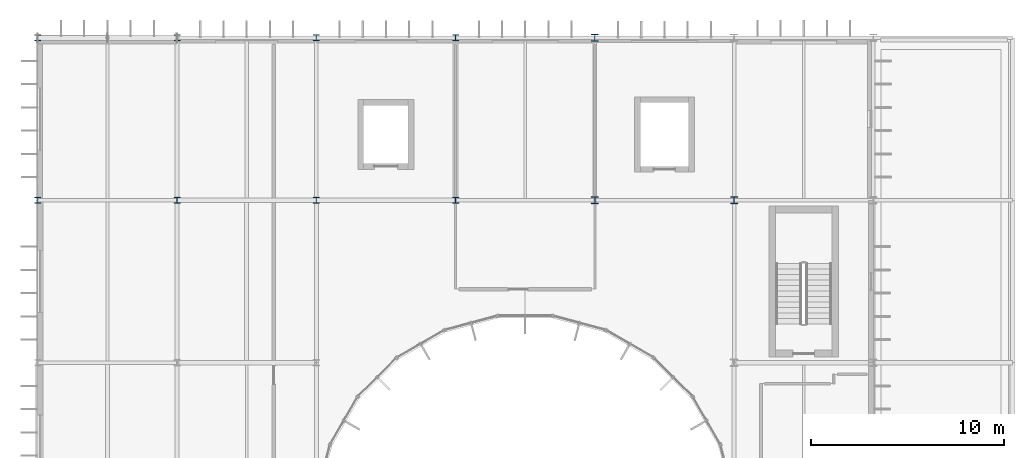
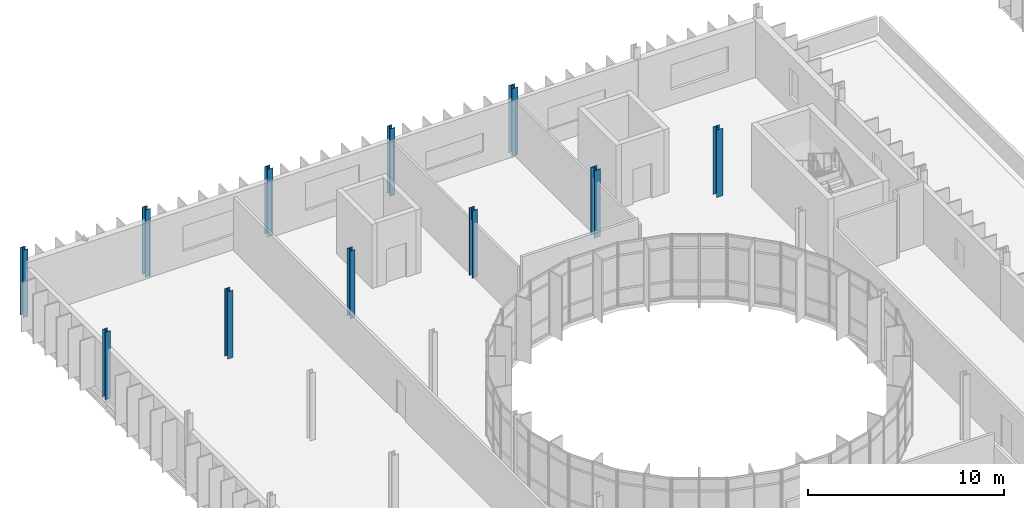
# One storey, part 8 of 99: 11 columns.
"""IFC4 building model written with IfcOpenShell, lengths in metres."""

from ifc_helpers import new_model, si_unit, direction, frame, origin, origin_2d, place, context, subcontext, project, spatial, i_section, extrude, material, material_profile, profile_set, type_object, element, save


model = new_model("IFC4")

# Units and contexts
model_context = context("Model", 3, precision=1e-05, world=origin(), true_north=direction((0.0, 1.0)))
body_context = subcontext(model_context, "Body", "Model", "MODEL_VIEW")
ifc_project = project(units=[si_unit("LENGTHUNIT", "METRE"), si_unit("AREAUNIT", "SQUARE_METRE"), si_unit("VOLUMEUNIT", "CUBIC_METRE"), si_unit("PLANEANGLEUNIT", "RADIAN"), si_unit("MASSUNIT", "GRAM", prefix="KILO")], contexts=[model_context])

# Site, building, storey
site_placement = place(None, origin())
site = spatial("IfcSite", under=ifc_project, at=site_placement, CompositionType="ELEMENT")
building_placement = place(site_placement, origin())
building = spatial("IfcBuilding", under=site, at=building_placement, Name="Qelthora Terrace Specialist Clinic", CompositionType="ELEMENT")
storey_placement = place(building_placement, frame((0.0, 0.0, 9.0)))
storey = spatial("IfcBuildingStorey", under=building, at=storey_placement, Name="L02", CompositionType="ELEMENT", Elevation=9.0)

# Columns
ifc_material = material(Name="Steel S355", Category="steel")
ifc_material_profile_1 = material_profile(ifc_material, i_section(OverallWidth=0.305908203125, OverallDepth=0.31103515625, WebThickness=0.010986328125, FlangeThickness=0.01708984375, FilletRadius=0.014892578125, at=origin_2d()), Name="W310X107")
ifc_profile_set_1 = profile_set([ifc_material_profile_1], Name="Steel S355")
column_type_1 = type_object("IfcColumnType", Name="COL-W310X107", PredefinedType="COLUMN", material=ifc_profile_set_1)
column_1_placement = place(storey_placement, frame((0.0, 100.800048828125, 0.0), z_axis=(0.0, 0.0, 1.0), x_axis=(1.0, 0.0, 0.0)))
element("IfcColumn", 1, at=column_1_placement, inside=storey, type_object=column_type_1, Name="Column L02-013", PredefinedType="COLUMN", context=body_context, shape_type="SweptSolid", body=[
    extrude(i_section(OverallWidth=0.305908203125, OverallDepth=0.31103515625, WebThickness=0.010986328125, FlangeThickness=0.01708984375, FilletRadius=0.014892578125, at=origin_2d()), origin(), (0.0, 0.0, 1.0), 4.199951171875),
])
ifc_material_profile_2 = material_profile(ifc_material, i_section(OverallWidth=0.30810546875, OverallDepth=0.318115234375, WebThickness=0.01318359375, FlangeThickness=0.0205078125, FilletRadius=0.01611328125, at=origin_2d()), Name="W310X129")
ifc_profile_set_2 = profile_set([ifc_material_profile_2], Name="Steel S355")
column_type_2 = type_object("IfcColumnType", Name="COL-W310X129", PredefinedType="COLUMN", material=ifc_profile_set_2)
for number, where, z_axis, x_axis, name in (
    (2, (7.199951171875, 100.800048828125, 0.0), (0.0, 0.0, 1.0), (1.0, 0.0, 0.0), "Column L02-027"),
    (3, (14.39990234375, 100.800048828125, 0.0), (0.0, 0.0, 1.0), (1.0, 0.0, 0.0), "Column L02-041"),
    (4, (21.60009765625, 109.199951171875, 0.0), (0.0, 0.0, 1.0), (1.0, 0.0, 0.0), "Column L02-053"),
):
    element("IfcColumn", number, at=place(storey_placement, frame(where, z_axis=z_axis, x_axis=x_axis)), inside=storey, type_object=column_type_2, Name=name, PredefinedType="COLUMN", context=body_context, shape_type="SweptSolid", body=[
        extrude(i_section(OverallWidth=0.30810546875, OverallDepth=0.318115234375, WebThickness=0.01318359375, FlangeThickness=0.0205078125, FilletRadius=0.01611328125, at=origin_2d()), origin(), (0.0, 0.0, 1.0), 4.199951171875),
    ])
ifc_material_profile_3 = material_profile(ifc_material, i_section(OverallWidth=0.30908203125, OverallDepth=0.322998046875, WebThickness=0.013916015625, FlangeThickness=0.02294921875, FilletRadius=0.01611328125, at=origin_2d()), Name="W310X143")
ifc_profile_set_3 = profile_set([ifc_material_profile_3], Name="Steel S355")
column_type_3 = type_object("IfcColumnType", Name="COL-W310X143", PredefinedType="COLUMN", material=ifc_profile_set_3)
for number, where, z_axis, x_axis, name in (
    (5, (7.199951171875, 109.199951171875, 0.0), (0.0, 0.0, 1.0), (1.0, 0.0, 0.0), "Column L02-028"),
    (6, (14.39990234375, 109.199951171875, 0.0), (0.0, 0.0, 1.0), (1.0, 0.0, 0.0), "Column L02-042"),
    (7, (21.60009765625, 100.800048828125, 0.0), (0.0, 0.0, 1.0), (1.0, 0.0, 0.0), "Column L02-052"),
):
    element("IfcColumn", number, at=place(storey_placement, frame(where, z_axis=z_axis, x_axis=x_axis)), inside=storey, type_object=column_type_3, Name=name, PredefinedType="COLUMN", context=body_context, shape_type="SweptSolid", body=[
        extrude(i_section(OverallWidth=0.30908203125, OverallDepth=0.322998046875, WebThickness=0.013916015625, FlangeThickness=0.02294921875, FilletRadius=0.01611328125, at=origin_2d()), origin(), (0.0, 0.0, 1.0), 4.199951171875),
    ])
ifc_material_profile_4 = material_profile(ifc_material, i_section(OverallWidth=0.304931640625, OverallDepth=0.30810546875, WebThickness=0.010009765625, FlangeThickness=0.015380859375, FilletRadius=0.014892578125, at=origin_2d()), Name="W310X97")
ifc_profile_set_4 = profile_set([ifc_material_profile_4], Name="Steel S355")
column_type_4 = type_object("IfcColumnType", Name="COL-W310X97", PredefinedType="COLUMN", material=ifc_profile_set_4)
column_2_placement = place(storey_placement, frame((0.0, 109.199951171875, 0.0), z_axis=(0.0, 0.0, 1.0), x_axis=(1.0, 0.0, 0.0)))
element("IfcColumn", 8, at=column_2_placement, inside=storey, type_object=column_type_4, Name="Column L02-014", PredefinedType="COLUMN", context=body_context, shape_type="SweptSolid", body=[
    extrude(i_section(OverallWidth=0.304931640625, OverallDepth=0.30810546875, WebThickness=0.010009765625, FlangeThickness=0.015380859375, FilletRadius=0.014892578125, at=origin_2d()), origin(), (0.0, 0.0, 1.0), 4.199951171875),
])
ifc_material_profile_5 = material_profile(ifc_material, i_section(OverallWidth=0.37109375, OverallDepth=0.364013671875, WebThickness=0.01318359375, FlangeThickness=0.021728515625, FilletRadius=0.02001953125, at=origin_2d()), Name="W360X162")
ifc_profile_set_5 = profile_set([ifc_material_profile_5], Name="Steel S355")
column_type_5 = type_object("IfcColumnType", Name="COL-W360X162", PredefinedType="COLUMN", material=ifc_profile_set_5)
column_3_placement = place(storey_placement, frame((36.0, 100.800048828125, 0.0), z_axis=(0.0, 0.0, 1.0), x_axis=(1.0, 0.0, 0.0)))
element("IfcColumn", 9, at=column_3_placement, inside=storey, type_object=column_type_5, Name="Column L02-077", PredefinedType="COLUMN", context=body_context, shape_type="SweptSolid", body=[
    extrude(i_section(OverallWidth=0.37109375, OverallDepth=0.364013671875, WebThickness=0.01318359375, FlangeThickness=0.021728515625, FilletRadius=0.02001953125, at=origin_2d()), origin(), (0.0, 0.0, 1.0), 4.199951171875),
])
ifc_material_profile_6 = material_profile(ifc_material, i_section(OverallWidth=0.373046875, OverallDepth=0.367919921875, WebThickness=0.014892578125, FlangeThickness=0.02392578125, FilletRadius=0.02001953125, at=origin_2d()), Name="W360X179")
ifc_profile_set_6 = profile_set([ifc_material_profile_6], Name="Steel S355")
column_type_6 = type_object("IfcColumnType", Name="COL-W360X179", PredefinedType="COLUMN", material=ifc_profile_set_6)
column_4_placement = place(storey_placement, frame((28.800048828125, 109.199951171875, 0.0), z_axis=(0.0, 0.0, 1.0), x_axis=(1.0, 0.0, 0.0)))
element("IfcColumn", 10, at=column_4_placement, inside=storey, type_object=column_type_6, Name="Column L02-064", PredefinedType="COLUMN", context=body_context, shape_type="SweptSolid", body=[
    extrude(i_section(OverallWidth=0.373046875, OverallDepth=0.367919921875, WebThickness=0.014892578125, FlangeThickness=0.02392578125, FilletRadius=0.02001953125, at=origin_2d()), origin(), (0.0, 0.0, 1.0), 4.199951171875),
])
ifc_material_profile_7 = material_profile(ifc_material, i_section(OverallWidth=0.3740234375, OverallDepth=0.3720703125, WebThickness=0.016357421875, FlangeThickness=0.026123046875, FilletRadius=0.02001953125, at=origin_2d()), Name="W360X196")
ifc_profile_set_7 = profile_set([ifc_material_profile_7], Name="Steel S355")
column_type_7 = type_object("IfcColumnType", Name="COL-W360X196", PredefinedType="COLUMN", material=ifc_profile_set_7)
column_5_placement = place(storey_placement, frame((28.800048828125, 100.800048828125, 0.0), z_axis=(0.0, 0.0, 1.0), x_axis=(1.0, 0.0, 0.0)))
element("IfcColumn", 11, at=column_5_placement, inside=storey, type_object=column_type_7, Name="Column L02-063", PredefinedType="COLUMN", context=body_context, shape_type="SweptSolid", body=[
    extrude(i_section(OverallWidth=0.3740234375, OverallDepth=0.3720703125, WebThickness=0.016357421875, FlangeThickness=0.026123046875, FilletRadius=0.02001953125, at=origin_2d()), origin(), (0.0, 0.0, 1.0), 4.199951171875),
])

save(model, "model.ifc")
